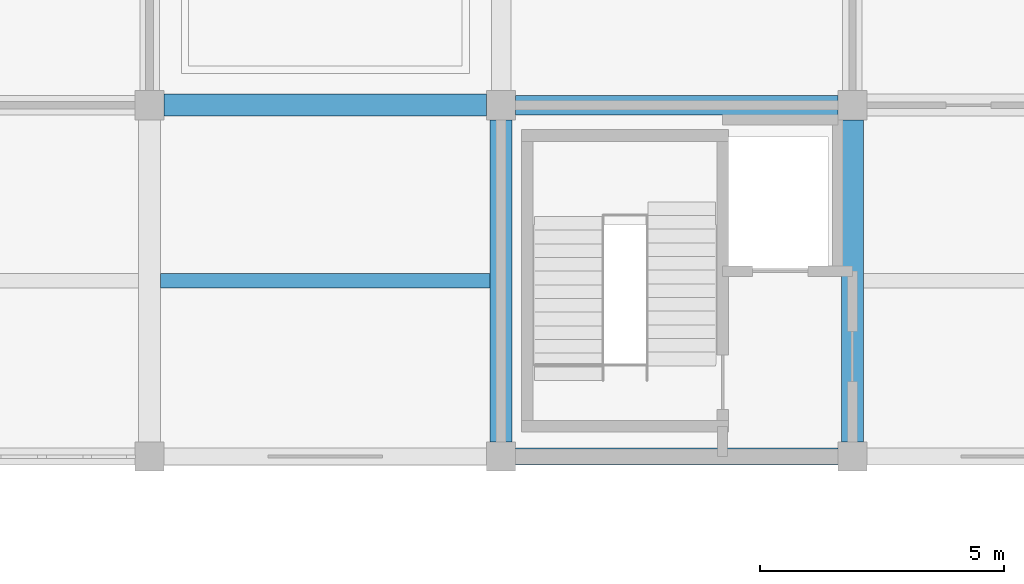
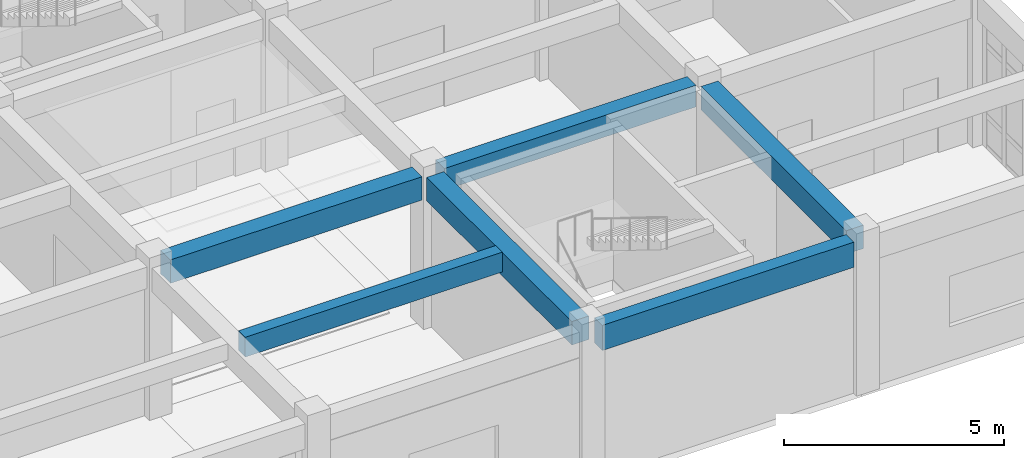
# One storey, part 21 of 81: 6 beams.
"""IFC4 building model written with IfcOpenShell, lengths in metres."""

from ifc_helpers import new_model, si_unit, direction, frame, origin, origin_2d, place, context, subcontext, project, spatial, rectangle, extrude, material, material_profile, profile_set, type_object, element, save


model = new_model("IFC4")

# Units and contexts
model_context = context("Model", 3, precision=1e-05, world=origin(), true_north=direction((0.0, 1.0)))
body_context = subcontext(model_context, "Body", "Model", "MODEL_VIEW")
ifc_project = project(units=[si_unit("LENGTHUNIT", "METRE"), si_unit("AREAUNIT", "SQUARE_METRE"), si_unit("VOLUMEUNIT", "CUBIC_METRE"), si_unit("PLANEANGLEUNIT", "RADIAN"), si_unit("MASSUNIT", "GRAM", prefix="KILO")], contexts=[model_context])

# Site, building, storey
site_placement = place(None, origin())
site = spatial("IfcSite", under=ifc_project, at=site_placement, CompositionType="ELEMENT")
building_placement = place(site_placement, origin())
building = spatial("IfcBuilding", under=site, at=building_placement, Name="Kavelor Marine Aquarium", CompositionType="ELEMENT")
storey_placement = place(building_placement, frame((0.0, 0.0, 4.679931640625)))
storey = spatial("IfcBuildingStorey", under=building, at=storey_placement, Name="L01", CompositionType="ELEMENT", Elevation=4.679931640625)

# Beams
ifc_material_1 = material(Name="Concrete C40/50", Category="concrete")
ifc_material_profile_1 = material_profile(ifc_material_1, rectangle(XDim=0.449951171875, YDim=0.64990234375, at=origin_2d()), Name="RC-BM 450x650")
ifc_profile_set_1 = profile_set([ifc_material_profile_1], Name="Concrete C40/50")
beam_type_1 = type_object("IfcBeamType", Name="BM-B3", PredefinedType="BEAM", material=ifc_profile_set_1)
for number, where, z_axis, x_axis, name in (
    (1, (82.699951171875, 96.39990234375, 3.875), (1.0, 0.0, 0.0), (0.0, 1.0, 0.0), "bm:x:L01:L02:11_13"),
    (2, (89.60009765625, 89.5, 3.875), (0.0, 1.0, 0.0), (-1.0, 0.0, 0.0), "bm:y:L01:L02:12_12"),
    (3, (96.800048828125, 89.5, 3.875), (0.0, 1.0, 0.0), (-1.0, 0.0, 0.0), "bm:y:L01:L02:13_12"),
):
    element("IfcBeam", number, at=place(storey_placement, frame(where, z_axis=z_axis, x_axis=x_axis)), inside=storey, type_object=beam_type_1, Name=name, PredefinedType="BEAM", context=body_context, shape_type="SweptSolid", body=[
        extrude(rectangle(XDim=0.449951171875, YDim=0.64990234375, at=origin_2d()), origin(), (0.0, 0.0, 1.0), 6.60009765625),
    ])
ifc_material_2 = material(Name="Concrete C40/50", Category="concrete")
ifc_material_profile_2 = material_profile(ifc_material_2, rectangle(XDim=0.39990234375, YDim=0.60009765625, at=origin_2d()), Name="RC-BM 400x600")
ifc_profile_set_2 = profile_set([ifc_material_profile_2], Name="Concrete C40/50")
beam_type_2 = type_object("IfcBeamType", Name="BM-B4", PredefinedType="BEAM", material=ifc_profile_set_2)
beam_1_placement = place(storey_placement, frame((89.89990234375, 96.39990234375, 3.900146484375), z_axis=(1.0, 0.0, 0.0), x_axis=(0.0, 1.0, 0.0)))
element("IfcBeam", 4, at=beam_1_placement, inside=storey, type_object=beam_type_2, Name="bm:x:L01:L02:12_13", PredefinedType="BEAM", context=body_context, shape_type="SweptSolid", body=[
    extrude(rectangle(XDim=0.39990234375, YDim=0.60009765625, at=origin_2d()), origin(), (0.0, 0.0, 1.0), 6.60009765625),
])
ifc_material_3 = material(Name="Concrete C40/50", Category="concrete")
ifc_material_profile_3 = material_profile(ifc_material_3, rectangle(XDim=0.300048828125, YDim=0.550048828125, at=origin_2d()), Name="RC-JS 300x550")
ifc_profile_set_3 = profile_set([ifc_material_profile_3], Name="Concrete C40/50")
beam_type_3 = type_object("IfcBeamType", Name="BM-JS2", PredefinedType="JOIST", material=ifc_profile_set_3)
beam_2_placement = place(storey_placement, frame((82.625, 92.800048828125, 3.945068359375), z_axis=(1.0, 0.0, 0.0), x_axis=(0.0, 1.0, 0.0)))
element("IfcBeam", 5, at=beam_2_placement, inside=storey, type_object=beam_type_3, Name="js:L01:L02:11_12", PredefinedType="JOIST", context=body_context, shape_type="SweptSolid", body=[
    extrude(rectangle(XDim=0.300048828125, YDim=0.550048828125, at=origin_2d()), origin(), (0.0, 0.0, 1.0), 6.75),
])
ifc_material_4 = material(Name="Concrete C40/50", Category="concrete")
ifc_material_profile_4 = material_profile(ifc_material_4, rectangle(XDim=0.35009765625, YDim=0.699951171875, at=origin_2d()), Name="RC-SP 350x700")
ifc_profile_set_4 = profile_set([ifc_material_profile_4], Name="Concrete C40/50")
beam_type_4 = type_object("IfcBeamType", Name="BM-SP1", PredefinedType="SPANDREL", material=ifc_profile_set_4)
beam_3_placement = place(storey_placement, frame((89.89990234375, 89.199951171875, 3.85009765625), z_axis=(1.0, 0.0, 0.0), x_axis=(0.0, 1.0, 0.0)))
element("IfcBeam", 6, at=beam_3_placement, inside=storey, type_object=beam_type_4, Name="bm:x:L01:L02:12_12", PredefinedType="SPANDREL", context=body_context, shape_type="SweptSolid", body=[
    extrude(rectangle(XDim=0.35009765625, YDim=0.699951171875, at=origin_2d()), origin(), (0.0, 0.0, 1.0), 6.60009765625),
])

save(model, "model.ifc")
